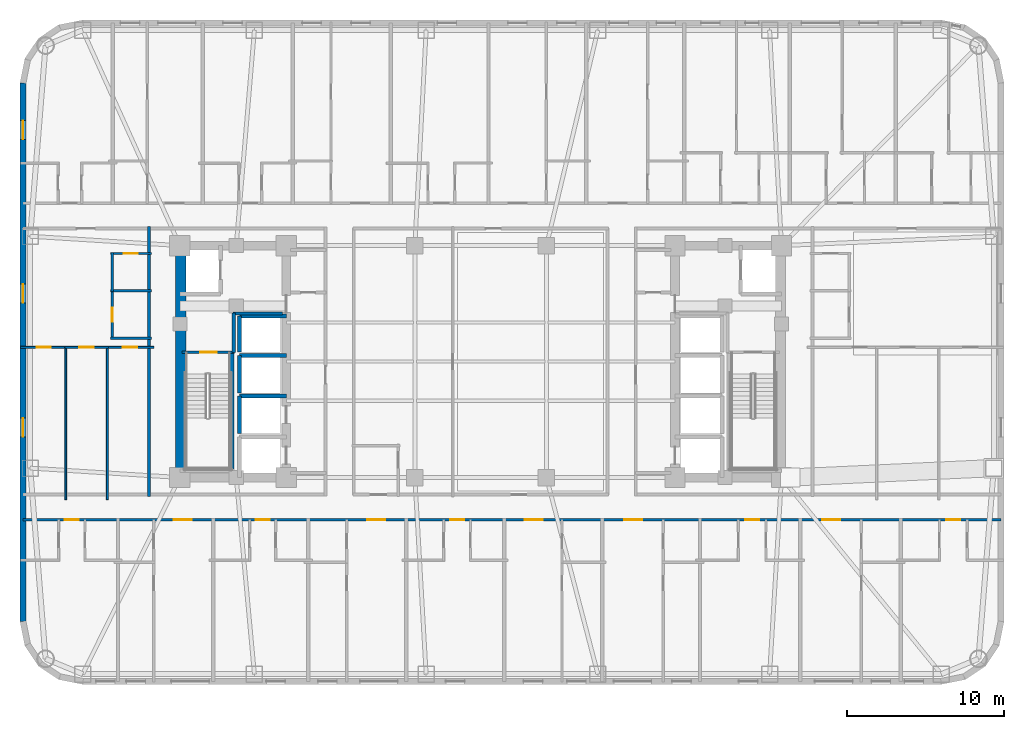
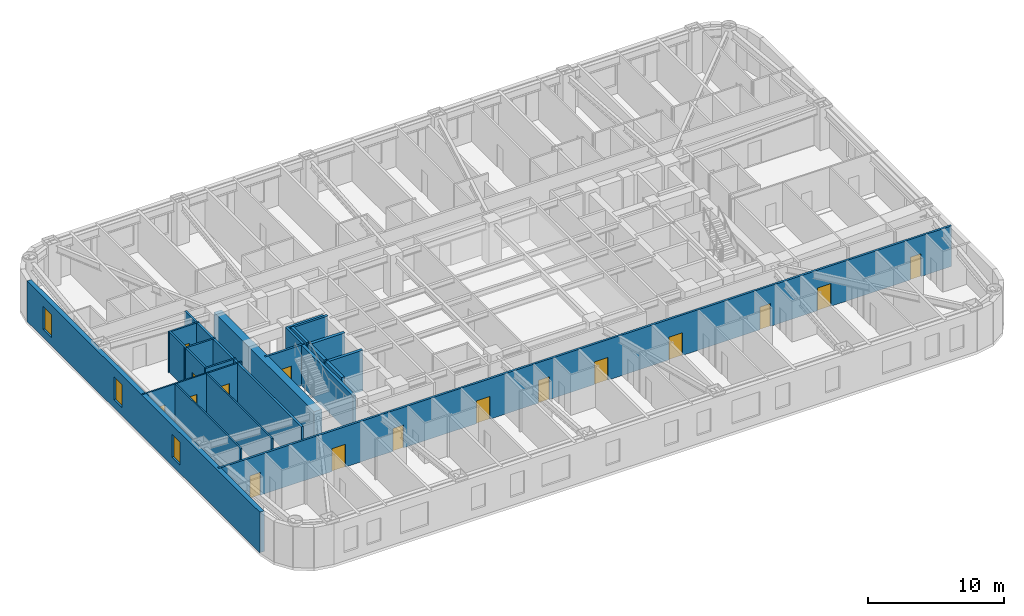
# One storey, part 4 of 13: 24 walls, 16 doors, 3 windows, 19 openings.
"""IFC4 building model written with IfcOpenShell, lengths in metres."""

from ifc_helpers import new_model, si_unit, direction, frame, frame_2d, origin, place, context, subcontext, project, spatial, rectangle, extrude, material, layer, layer_set, type_object, element, fill, save


model = new_model("IFC4")

# Units and contexts
model_context = context("Model", 3, precision=1e-05, world=origin(), true_north=direction((0.0, 1.0)))
body_context = subcontext(model_context, "Body", "Model", "MODEL_VIEW")
ifc_project = project(units=[si_unit("LENGTHUNIT", "METRE"), si_unit("AREAUNIT", "SQUARE_METRE"), si_unit("VOLUMEUNIT", "CUBIC_METRE"), si_unit("PLANEANGLEUNIT", "RADIAN"), si_unit("MASSUNIT", "GRAM", prefix="KILO")], contexts=[model_context])

# Site, building, storey
site_placement = place(None, origin())
site = spatial("IfcSite", under=ifc_project, at=site_placement, CompositionType="ELEMENT")
building_placement = place(site_placement, origin())
building = spatial("IfcBuilding", under=site, at=building_placement, Name="Voryun Gate Residences", CompositionType="ELEMENT")
storey_placement = place(building_placement, frame((0.0, 0.0, 124.800048828125)))
storey = spatial("IfcBuildingStorey", under=building, at=storey_placement, Name="L30", CompositionType="ELEMENT", Elevation=124.800048828125)

# Wall
ifc_material_1 = material(Name="Concrete C60/75", Category="concrete")
ifc_layer_1 = layer(ifc_material_1, 0.64990234375, Name="CW_CORE_650")
ifc_layer_set_1 = layer_set([ifc_layer_1], Name="Concrete C60/75")
wall_type_1 = type_object("IfcWallType", Name="CW_CORE_650", PredefinedType="SHEAR", material=ifc_layer_set_1)
wall_1_placement = place(storey_placement, frame((-19.14501953125, -7.39990234375, 0.0), z_axis=(0.0, 0.0, 1.0), x_axis=(0.0, 1.0, 0.0)))
element("IfcWall", 1, at=wall_1_placement, inside=storey, type_object=wall_type_1, Name="L30 Core shear wall CW-L30-WW", PredefinedType="SHEAR", context=body_context, shape_type="SweptSolid", body=[
    extrude(rectangle(XDim=14.7998046875, YDim=0.64990234375, at=frame_2d((7.39990234375, 0.0))), origin(), (0.0, 0.0, 1.0), 3.64990234375),
])

# Wall, opening, door
ifc_material_2 = material(Name="Gypsum acoustic fireboard")
ifc_layer_2 = layer(ifc_material_2, 0.179931640625, Name="W_CORR_RATED_180")
ifc_layer_set_2 = layer_set([ifc_layer_2], Name="Gypsum acoustic fireboard")
wall_type_2 = type_object("IfcWallType", Name="W_CORR_RATED_180", PredefinedType="PARTITIONING", material=ifc_layer_set_2)
wall_2_placement = place(storey_placement, frame((-19.06005859375, 0.60009765625, 0.0), z_axis=(0.0, 0.0, 1.0), x_axis=(1.0, 0.0, 0.0)))
wall_2 = element("IfcWall", 2, at=wall_2_placement, inside=storey, type_object=wall_type_2, Name="Partition wall WP-L30-STV-W", PredefinedType="PARTITIONING", context=body_context, shape_type="SweptSolid", body=[
    extrude(rectangle(XDim=3.360107421875, YDim=0.179931640625, at=frame_2d((1.68017578125, 0.0))), origin(), (0.0, 0.0, 1.0), 3.64990234375),
])
opening_1_placement = place(wall_2_placement, frame((1.155029296875, 0.0, 0.0)))
opening_1 = element("IfcOpeningElement", 3, at=opening_1_placement, cuts=wall_2, Name="Opening D-FD60-1", PredefinedType="OPENING", context=body_context, shape_type="SweptSolid", body=[
    extrude(rectangle(XDim=1.050048828125, YDim=2.050048828125, at=frame_2d((0.52490234375, 1.02490234375))), frame((0.0, 0.099853515625, 0.0), z_axis=(0.0, -1.0, 0.0), x_axis=(1.0, 0.0, 0.0)), (0.0, 0.0, 1.0), 0.199951171875),
])
ifc_material_3 = material(Name="Painted steel fire door", Category="steel")
door_type_1 = type_object("IfcDoorType", Name="DR_FD60_STAIR_1050", OperationType="NOTDEFINED", PredefinedType="DOOR", material=ifc_material_3)
door_1_placement = place(opening_1_placement, origin())
door_1 = element("IfcDoor", 4, at=door_1_placement, inside=storey, type_object=door_type_1, Name="Door DR-L30-ST-W", OperationType="SINGLE_SWING_LEFT", OverallHeight=2.050048828125, OverallWidth=1.050048828125, PredefinedType="DOOR", context=body_context, shape_type="SweptSolid", body=[
    extrude(rectangle(XDim=1.050048828125, YDim=2.050048828125, at=frame_2d((0.52490234375, 1.02490234375))), frame((0.0, 0.02490234375, 0.0), z_axis=(0.0, -1.0, 0.0), x_axis=(1.0, 0.0, 0.0)), (0.0, 0.0, 1.0), 0.050048828125),
])
fill(opening_1, door_1)

# Wall, openings, doors
wall_3_placement = place(storey_placement, frame((-29.2099609375, -10.10009765625, 0.0), z_axis=(0.0, 0.0, 1.0), x_axis=(1.0, 0.0, 0.0)))
wall_3 = element("IfcWall", 5, at=wall_3_placement, inside=storey, type_object=wall_type_2, Name="Partition wall WP-L30-SCORR", PredefinedType="PARTITIONING", context=body_context, shape_type="SweptSolid", body=[
    extrude(rectangle(XDim=62.419921875, YDim=0.179931640625, at=frame_2d((31.2099609375, 0.0))), origin(), (0.0, 0.0, 1.0), 3.64990234375),
])
opening_2_placement = place(wall_3_placement, frame((2.6708984375, 0.0, 0.0)))
opening_2 = element("IfcOpeningElement", 6, at=opening_2_placement, cuts=wall_3, Name="Opening D-INT-2", PredefinedType="OPENING", context=body_context, shape_type="SweptSolid", body=[
    extrude(rectangle(XDim=0.89990234375, YDim=2.050048828125, at=frame_2d((0.449951171875, 1.02490234375))), frame((0.0, 0.099853515625, 0.0), z_axis=(0.0, -1.0, 0.0), x_axis=(1.0, 0.0, 0.0)), (0.0, 0.0, 1.0), 0.199951171875),
])
opening_3_placement = place(wall_3_placement, frame((9.636962890625, 0.0, 0.0)))
opening_3 = element("IfcOpeningElement", 7, at=opening_3_placement, cuts=wall_3, Name="Opening D-UNIT-1", PredefinedType="OPENING", context=body_context, shape_type="SweptSolid", body=[
    extrude(rectangle(XDim=1.14990234375, YDim=2.050048828125, at=frame_2d((0.574951171875, 1.02490234375))), frame((0.0, 0.099853515625, 0.0), z_axis=(0.0, -1.0, 0.0), x_axis=(1.0, 0.0, 0.0)), (0.0, 0.0, 1.0), 0.199951171875),
])
opening_4_placement = place(wall_3_placement, frame((14.843017578125, 0.0, 0.0)))
opening_4 = element("IfcOpeningElement", 8, at=opening_4_placement, cuts=wall_3, Name="Opening D-INT-2", PredefinedType="OPENING", context=body_context, shape_type="SweptSolid", body=[
    extrude(rectangle(XDim=0.89990234375, YDim=2.050048828125, at=frame_2d((0.449951171875, 1.02490234375))), frame((0.0, 0.099853515625, 0.0), z_axis=(0.0, -1.0, 0.0), x_axis=(1.0, 0.0, 0.0)), (0.0, 0.0, 1.0), 0.199951171875),
])
opening_5_placement = place(wall_3_placement, frame((21.95849609375, 0.0, 0.0)))
opening_5 = element("IfcOpeningElement", 9, at=opening_5_placement, cuts=wall_3, Name="Opening D-UNIT-1", PredefinedType="OPENING", context=body_context, shape_type="SweptSolid", body=[
    extrude(rectangle(XDim=1.14990234375, YDim=2.050048828125, at=frame_2d((0.574951171875, 1.02490234375))), frame((0.0, 0.099853515625, 0.0), z_axis=(0.0, -1.0, 0.0), x_axis=(1.0, 0.0, 0.0)), (0.0, 0.0, 1.0), 0.199951171875),
])
opening_6_placement = place(wall_3_placement, frame((27.25830078125, 0.0, 0.0)))
opening_6 = element("IfcOpeningElement", 10, at=opening_6_placement, cuts=wall_3, Name="Opening D-INT-2", PredefinedType="OPENING", context=body_context, shape_type="SweptSolid", body=[
    extrude(rectangle(XDim=0.89990234375, YDim=2.050048828125, at=frame_2d((0.449951171875, 1.02490234375))), frame((0.0, 0.099853515625, 0.0), z_axis=(0.0, -1.0, 0.0), x_axis=(1.0, 0.0, 0.0)), (0.0, 0.0, 1.0), 0.199951171875),
])
opening_7_placement = place(wall_3_placement, frame((32.014404296875, 0.0, 0.0)))
opening_7 = element("IfcOpeningElement", 11, at=opening_7_placement, cuts=wall_3, Name="Opening D-UNIT-1", PredefinedType="OPENING", context=body_context, shape_type="SweptSolid", body=[
    extrude(rectangle(XDim=1.14990234375, YDim=2.050048828125, at=frame_2d((0.574951171875, 1.02490234375))), frame((0.0, 0.099853515625, 0.0), z_axis=(0.0, -1.0, 0.0), x_axis=(1.0, 0.0, 0.0)), (0.0, 0.0, 1.0), 0.199951171875),
])
opening_8_placement = place(wall_3_placement, frame((38.368896484375, 0.0, 0.0)))
opening_8 = element("IfcOpeningElement", 12, at=opening_8_placement, cuts=wall_3, Name="Opening D-UNIT-1", PredefinedType="OPENING", context=body_context, shape_type="SweptSolid", body=[
    extrude(rectangle(XDim=1.14990234375, YDim=2.050048828125, at=frame_2d((0.574951171875, 1.02490234375))), frame((0.0, 0.099853515625, 0.0), z_axis=(0.0, -1.0, 0.0), x_axis=(1.0, 0.0, 0.0)), (0.0, 0.0, 1.0), 0.199951171875),
])
opening_9_placement = place(wall_3_placement, frame((46.09033203125, 0.0, 0.0)))
opening_9 = element("IfcOpeningElement", 13, at=opening_9_placement, cuts=wall_3, Name="Opening D-INT-2", PredefinedType="OPENING", context=body_context, shape_type="SweptSolid", body=[
    extrude(rectangle(XDim=0.89990234375, YDim=2.050048828125, at=frame_2d((0.449951171875, 1.02490234375))), frame((0.0, 0.099853515625, 0.0), z_axis=(0.0, -1.0, 0.0), x_axis=(1.0, 0.0, 0.0)), (0.0, 0.0, 1.0), 0.199951171875),
])
opening_10_placement = place(wall_3_placement, frame((51.01513671875, 0.0, 0.0)))
opening_10 = element("IfcOpeningElement", 14, at=opening_10_placement, cuts=wall_3, Name="Opening D-UNIT-1", PredefinedType="OPENING", context=body_context, shape_type="SweptSolid", body=[
    extrude(rectangle(XDim=1.14990234375, YDim=2.050048828125, at=frame_2d((0.574951171875, 1.02490234375))), frame((0.0, 0.099853515625, 0.0), z_axis=(0.0, -1.0, 0.0), x_axis=(1.0, 0.0, 0.0)), (0.0, 0.0, 1.0), 0.199951171875),
])
opening_11_placement = place(wall_3_placement, frame((58.93017578125, 0.0, 0.0)))
opening_11 = element("IfcOpeningElement", 15, at=opening_11_placement, cuts=wall_3, Name="Opening D-INT-2", PredefinedType="OPENING", context=body_context, shape_type="SweptSolid", body=[
    extrude(rectangle(XDim=0.89990234375, YDim=2.050048828125, at=frame_2d((0.449951171875, 1.02490234375))), frame((0.0, 0.099853515625, 0.0), z_axis=(0.0, -1.0, 0.0), x_axis=(1.0, 0.0, 0.0)), (0.0, 0.0, 1.0), 0.199951171875),
])
ifc_material_4 = material(Name="Architectural oak veneer")
door_type_2 = type_object("IfcDoorType", Name="DR_INT_BATH_900", OperationType="NOTDEFINED", PredefinedType="DOOR", material=ifc_material_4)
door_2_placement = place(opening_2_placement, origin())
door_2 = element("IfcDoor", 16, at=door_2_placement, inside=storey, type_object=door_type_2, Name="Door DR-L30-SENT-1", OperationType="SINGLE_SWING_RIGHT", OverallHeight=2.050048828125, OverallWidth=0.89990234375, PredefinedType="DOOR", context=body_context, shape_type="SweptSolid", body=[
    extrude(rectangle(XDim=0.89990234375, YDim=2.050048828125, at=frame_2d((0.449951171875, 1.02490234375))), frame((0.0, 0.02490234375, 0.0), z_axis=(0.0, -1.0, 0.0), x_axis=(1.0, 0.0, 0.0)), (0.0, 0.0, 1.0), 0.050048828125),
])
fill(opening_2, door_2)
door_3_placement = place(opening_4_placement, origin())
door_3 = element("IfcDoor", 17, at=door_3_placement, inside=storey, type_object=door_type_2, Name="Door DR-L30-SENT-3", OperationType="SINGLE_SWING_RIGHT", OverallHeight=2.050048828125, OverallWidth=0.89990234375, PredefinedType="DOOR", context=body_context, shape_type="SweptSolid", body=[
    extrude(rectangle(XDim=0.89990234375, YDim=2.050048828125, at=frame_2d((0.449951171875, 1.02490234375))), frame((0.0, 0.02490234375, 0.0), z_axis=(0.0, -1.0, 0.0), x_axis=(1.0, 0.0, 0.0)), (0.0, 0.0, 1.0), 0.050048828125),
])
fill(opening_4, door_3)
door_4_placement = place(opening_6_placement, origin())
door_4 = element("IfcDoor", 18, at=door_4_placement, inside=storey, type_object=door_type_2, Name="Door DR-L30-SENT-5", OperationType="SINGLE_SWING_RIGHT", OverallHeight=2.050048828125, OverallWidth=0.89990234375, PredefinedType="DOOR", context=body_context, shape_type="SweptSolid", body=[
    extrude(rectangle(XDim=0.89990234375, YDim=2.050048828125, at=frame_2d((0.449951171875, 1.02490234375))), frame((0.0, 0.02490234375, 0.0), z_axis=(0.0, -1.0, 0.0), x_axis=(1.0, 0.0, 0.0)), (0.0, 0.0, 1.0), 0.050048828125),
])
fill(opening_6, door_4)
door_5_placement = place(opening_9_placement, origin())
door_5 = element("IfcDoor", 19, at=door_5_placement, inside=storey, type_object=door_type_2, Name="Door DR-L30-SENT-8", OperationType="SINGLE_SWING_LEFT", OverallHeight=2.050048828125, OverallWidth=0.89990234375, PredefinedType="DOOR", context=body_context, shape_type="SweptSolid", body=[
    extrude(rectangle(XDim=0.89990234375, YDim=2.050048828125, at=frame_2d((0.449951171875, 1.02490234375))), frame((0.0, 0.02490234375, 0.0), z_axis=(0.0, -1.0, 0.0), x_axis=(1.0, 0.0, 0.0)), (0.0, 0.0, 1.0), 0.050048828125),
])
fill(opening_9, door_5)
door_6_placement = place(opening_11_placement, origin())
door_6 = element("IfcDoor", 20, at=door_6_placement, inside=storey, type_object=door_type_2, Name="Door DR-L30-SENT-10", OperationType="SINGLE_SWING_LEFT", OverallHeight=2.050048828125, OverallWidth=0.89990234375, PredefinedType="DOOR", context=body_context, shape_type="SweptSolid", body=[
    extrude(rectangle(XDim=0.89990234375, YDim=2.050048828125, at=frame_2d((0.449951171875, 1.02490234375))), frame((0.0, 0.02490234375, 0.0), z_axis=(0.0, -1.0, 0.0), x_axis=(1.0, 0.0, 0.0)), (0.0, 0.0, 1.0), 0.050048828125),
])
fill(opening_11, door_6)
ifc_material_5 = material(Name="Armoured timber-clad fire door", Category="wood")
door_type_3 = type_object("IfcDoorType", Name="DR_UNIT_ENTRY_1150", OperationType="NOTDEFINED", PredefinedType="DOOR", material=ifc_material_5)
door_7_placement = place(opening_3_placement, origin())
door_7 = element("IfcDoor", 21, at=door_7_placement, inside=storey, type_object=door_type_3, Name="Door DR-L30-SENT-2", OperationType="SINGLE_SWING_LEFT", OverallHeight=2.050048828125, OverallWidth=1.14990234375, PredefinedType="DOOR", context=body_context, shape_type="SweptSolid", body=[
    extrude(rectangle(XDim=1.14990234375, YDim=2.050048828125, at=frame_2d((0.574951171875, 1.02490234375))), frame((0.0, 0.02490234375, 0.0), z_axis=(0.0, -1.0, 0.0), x_axis=(1.0, 0.0, 0.0)), (0.0, 0.0, 1.0), 0.050048828125),
])
fill(opening_3, door_7)
door_8_placement = place(opening_5_placement, origin())
door_8 = element("IfcDoor", 22, at=door_8_placement, inside=storey, type_object=door_type_3, Name="Door DR-L30-SENT-4", OperationType="SINGLE_SWING_LEFT", OverallHeight=2.050048828125, OverallWidth=1.14990234375, PredefinedType="DOOR", context=body_context, shape_type="SweptSolid", body=[
    extrude(rectangle(XDim=1.14990234375, YDim=2.050048828125, at=frame_2d((0.574951171875, 1.02490234375))), frame((0.0, 0.02490234375, 0.0), z_axis=(0.0, -1.0, 0.0), x_axis=(1.0, 0.0, 0.0)), (0.0, 0.0, 1.0), 0.050048828125),
])
fill(opening_5, door_8)
door_9_placement = place(opening_7_placement, origin())
door_9 = element("IfcDoor", 23, at=door_9_placement, inside=storey, type_object=door_type_3, Name="Door DR-L30-SENT-6", OperationType="SINGLE_SWING_LEFT", OverallHeight=2.050048828125, OverallWidth=1.14990234375, PredefinedType="DOOR", context=body_context, shape_type="SweptSolid", body=[
    extrude(rectangle(XDim=1.14990234375, YDim=2.050048828125, at=frame_2d((0.574951171875, 1.02490234375))), frame((0.0, 0.02490234375, 0.0), z_axis=(0.0, -1.0, 0.0), x_axis=(1.0, 0.0, 0.0)), (0.0, 0.0, 1.0), 0.050048828125),
])
fill(opening_7, door_9)
door_10_placement = place(opening_8_placement, origin())
door_10 = element("IfcDoor", 24, at=door_10_placement, inside=storey, type_object=door_type_3, Name="Door DR-L30-SENT-7", OperationType="SINGLE_SWING_RIGHT", OverallHeight=2.050048828125, OverallWidth=1.14990234375, PredefinedType="DOOR", context=body_context, shape_type="SweptSolid", body=[
    extrude(rectangle(XDim=1.14990234375, YDim=2.050048828125, at=frame_2d((0.574951171875, 1.02490234375))), frame((0.0, 0.02490234375, 0.0), z_axis=(0.0, -1.0, 0.0), x_axis=(1.0, 0.0, 0.0)), (0.0, 0.0, 1.0), 0.050048828125),
])
fill(opening_8, door_10)
door_11_placement = place(opening_10_placement, origin())
door_11 = element("IfcDoor", 25, at=door_11_placement, inside=storey, type_object=door_type_3, Name="Door DR-L30-SENT-9", OperationType="SINGLE_SWING_RIGHT", OverallHeight=2.050048828125, OverallWidth=1.14990234375, PredefinedType="DOOR", context=body_context, shape_type="SweptSolid", body=[
    extrude(rectangle(XDim=1.14990234375, YDim=2.050048828125, at=frame_2d((0.574951171875, 1.02490234375))), frame((0.0, 0.02490234375, 0.0), z_axis=(0.0, -1.0, 0.0), x_axis=(1.0, 0.0, 0.0)), (0.0, 0.0, 1.0), 0.050048828125),
])
fill(opening_10, door_11)

# Wall
wall_4_placement = place(storey_placement, frame((-21.169921875, -8.610107421875, 0.0), z_axis=(0.0, 0.0, 1.0), x_axis=(0.0, 1.0, 0.0)))
element("IfcWall", 26, at=wall_4_placement, inside=storey, type_object=wall_type_2, Name="Partition wall WP-L30-WCOR", PredefinedType="PARTITIONING", context=body_context, shape_type="SweptSolid", body=[
    extrude(rectangle(XDim=17.22021484375, YDim=0.179931640625, at=frame_2d((8.610107421875, 0.0))), origin(), (0.0, 0.0, 1.0), 3.64990234375),
])

# Wall, openings, windows
ifc_material_6 = material(Name="Granite masonry", Category="masonry")
ifc_layer_3 = layer(ifc_material_6, 0.3798828125, Name="W_EXT_GRANITE_380")
ifc_layer_set_3 = layer_set([ifc_layer_3], Name="Granite masonry")
wall_type_3 = type_object("IfcWallType", Name="W_EXT_GRANITE_380", PredefinedType="ELEMENTEDWALL", material=ifc_layer_set_3)
wall_5_placement = place(storey_placement, frame((-29.2099609375, -16.581298828125, 0.0), z_axis=(0.0, 0.0, 1.0), x_axis=(0.0, 1.0, 0.0)))
wall_5 = element("IfcWall", 27, at=wall_5_placement, inside=storey, type_object=wall_type_3, Name="Exterior wall WEXT-L30-06", PredefinedType="ELEMENTEDWALL", context=body_context, shape_type="SweptSolid", body=[
    extrude(rectangle(XDim=34.362548828125, YDim=0.3798828125, at=frame_2d((17.18115234375, 0.0))), origin(), (0.0, 0.0, 1.0), 3.64990234375),
])
opening_12_placement = place(wall_5_placement, frame((30.7568359375, 0.0, 0.75)))
opening_12 = element("IfcOpeningElement", 28, at=opening_12_placement, cuts=wall_5, Name="Opening WN6", PredefinedType="OPENING", context=body_context, shape_type="SweptSolid", body=[
    extrude(rectangle(XDim=1.199951171875, YDim=2.050048828125, at=frame_2d((0.60009765625, 1.02490234375))), frame((0.0, 0.199951171875, 0.0), z_axis=(0.0, -1.0, 0.0), x_axis=(1.0, 0.0, 0.0)), (0.0, 0.0, 1.0), 0.39990234375),
])
opening_13_placement = place(wall_5_placement, frame((20.326416015625, 0.0, 0.75)))
opening_13 = element("IfcOpeningElement", 29, at=opening_13_placement, cuts=wall_5, Name="Opening WN6", PredefinedType="OPENING", context=body_context, shape_type="SweptSolid", body=[
    extrude(rectangle(XDim=1.199951171875, YDim=2.050048828125, at=frame_2d((0.60009765625, 1.02490234375))), frame((0.0, 0.199951171875, 0.0), z_axis=(0.0, -1.0, 0.0), x_axis=(1.0, 0.0, 0.0)), (0.0, 0.0, 1.0), 0.39990234375),
])
opening_14_placement = place(wall_5_placement, frame((11.7763671875, 0.0, 0.75)))
opening_14 = element("IfcOpeningElement", 30, at=opening_14_placement, cuts=wall_5, Name="Opening WN6", PredefinedType="OPENING", context=body_context, shape_type="SweptSolid", body=[
    extrude(rectangle(XDim=1.199951171875, YDim=2.050048828125, at=frame_2d((0.60009765625, 1.02490234375))), frame((0.0, 0.199951171875, 0.0), z_axis=(0.0, -1.0, 0.0), x_axis=(1.0, 0.0, 0.0)), (0.0, 0.0, 1.0), 0.39990234375),
])
ifc_material_7 = material(Name="Laminated low-E glass", Category="glass")
window_type = type_object("IfcWindowType", Name="WN_POD_SLOT_1200", PartitioningType="SINGLE_PANEL", PredefinedType="WINDOW", material=ifc_material_7)
window_1_placement = place(opening_12_placement, origin())
window_1 = element("IfcWindow", 31, at=window_1_placement, inside=storey, type_object=window_type, Name="Window WN-L30-DWFIX-01", OverallHeight=2.050048828125, OverallWidth=1.199951171875, PartitioningType="SINGLE_PANEL", PredefinedType="WINDOW", context=body_context, shape_type="SweptSolid", body=[
    extrude(rectangle(XDim=1.199951171875, YDim=2.050048828125, at=frame_2d((0.60009765625, 1.02490234375))), frame((0.0, 0.030029296875, 0.0), z_axis=(0.0, -1.0, 0.0), x_axis=(1.0, 0.0, 0.0)), (0.0, 0.0, 1.0), 0.06005859375),
])
fill(opening_12, window_1)
window_2_placement = place(opening_13_placement, origin())
window_2 = element("IfcWindow", 32, at=window_2_placement, inside=storey, type_object=window_type, Name="Window WN-L30-DWFIX-27", OverallHeight=2.050048828125, OverallWidth=1.199951171875, PartitioningType="SINGLE_PANEL", PredefinedType="WINDOW", context=body_context, shape_type="SweptSolid", body=[
    extrude(rectangle(XDim=1.199951171875, YDim=2.050048828125, at=frame_2d((0.60009765625, 1.02490234375))), frame((0.0, 0.030029296875, 0.0), z_axis=(0.0, -1.0, 0.0), x_axis=(1.0, 0.0, 0.0)), (0.0, 0.0, 1.0), 0.06005859375),
])
fill(opening_13, window_2)
window_3_placement = place(opening_14_placement, origin())
window_3 = element("IfcWindow", 33, at=window_3_placement, inside=storey, type_object=window_type, Name="Window WN-L30-DWFIX-28", OverallHeight=2.050048828125, OverallWidth=1.199951171875, PartitioningType="SINGLE_PANEL", PredefinedType="WINDOW", context=body_context, shape_type="SweptSolid", body=[
    extrude(rectangle(XDim=1.199951171875, YDim=2.050048828125, at=frame_2d((0.60009765625, 1.02490234375))), frame((0.0, 0.030029296875, 0.0), z_axis=(0.0, -1.0, 0.0), x_axis=(1.0, 0.0, 0.0)), (0.0, 0.0, 1.0), 0.06005859375),
])
fill(opening_14, window_3)

# Walls
ifc_material_8 = material(Name="Concrete C40/50", Category="concrete")
ifc_layer_4 = layer(ifc_material_8, 0.199951171875, Name="W_FF_LOBBY_200")
ifc_layer_set_4 = layer_set([ifc_layer_4], Name="Concrete C40/50")
wall_type_4 = type_object("IfcWallType", Name="W_FF_LOBBY_200", PredefinedType="PARTITIONING", material=ifc_layer_set_4)
wall_6_placement = place(storey_placement, frame((-15.760009765625, 0.580078125, 0.0), z_axis=(0.0, 0.0, 1.0), x_axis=(0.0, 1.0, 0.0)))
element("IfcWall", 34, at=wall_6_placement, inside=storey, type_object=wall_type_4, Name="Partition wall WP-L30-FFP0-W", PredefinedType="PARTITIONING", context=body_context, shape_type="SweptSolid", body=[
    extrude(rectangle(XDim=2.52001953125, YDim=0.199951171875, at=frame_2d((1.260009765625, 0.0))), origin(), (0.0, 0.0, 1.0), 3.64990234375),
])
wall_7_placement = place(storey_placement, frame((-15.820068359375, 3.06005859375, 0.0), z_axis=(0.0, 0.0, 1.0), x_axis=(1.0, 0.0, 0.0)))
element("IfcWall", 35, at=wall_7_placement, inside=storey, type_object=wall_type_4, Name="Partition wall WP-L30-FFPS-W", PredefinedType="PARTITIONING", context=body_context, shape_type="SweptSolid", body=[
    extrude(rectangle(XDim=3.16015625, YDim=0.199951171875, at=frame_2d((1.580078125, 0.0))), origin(), (0.0, 0.0, 1.0), 3.64990234375),
])
ifc_material_9 = material(Name="Concrete C50/60", Category="concrete")
ifc_layer_5 = layer(ifc_material_9, 0.25, Name="W_SHAFT_RC250")
ifc_layer_set_5 = layer_set([ifc_layer_5], Name="Concrete C50/60")
wall_type_5 = type_object("IfcWallType", Name="W_SHAFT_RC250", PredefinedType="SOLIDWALL", material=ifc_layer_set_5)
wall_8_placement = place(storey_placement, frame((-15.860107421875, -7.0849609375, 0.0), z_axis=(0.0, 0.0, 1.0), x_axis=(0.0, 1.0, 0.0)))
element("IfcWall", 36, at=wall_8_placement, inside=storey, type_object=wall_type_5, Name="L30 Stair shaft structural wall W-STR", PredefinedType="SOLIDWALL", context=body_context, shape_type="SweptSolid", body=[
    extrude(rectangle(XDim=7.68505859375, YDim=0.25, at=frame_2d((3.842529296875, 0.0))), origin(), (0.0, 0.0, 1.0), 3.64990234375),
])
wall_9_placement = place(storey_placement, frame((-12.39990234375, -2.199951171875, 0.0), z_axis=(0.0, 0.0, 1.0), x_axis=(-1.0, 0.0, 0.0)))
element("IfcWall", 37, at=wall_9_placement, inside=storey, type_object=wall_type_5, Name="Lift shaft wall WSH-L30-EL-P2-N", PredefinedType="SOLIDWALL", context=body_context, shape_type="SweptSolid", body=[
    extrude(rectangle(XDim=3.0, YDim=0.25, at=frame_2d((1.5, 0.0))), origin(), (0.0, 0.0, 1.0), 3.64990234375),
])
wall_10_placement = place(storey_placement, frame((-15.39990234375, -2.199951171875, 0.0), z_axis=(0.0, 0.0, 1.0), x_axis=(0.0, -1.0, 0.0)))
element("IfcWall", 38, at=wall_10_placement, inside=storey, type_object=wall_type_5, Name="Lift shaft wall WSH-L30-EL-P2-W", PredefinedType="SOLIDWALL", context=body_context, shape_type="SweptSolid", body=[
    extrude(rectangle(XDim=2.400146484375, YDim=0.25, at=frame_2d((1.2001953125, 0.0))), origin(), (0.0, 0.0, 1.0), 3.64990234375),
])
wall_11_placement = place(storey_placement, frame((-12.39990234375, 0.39990234375, 0.0), z_axis=(0.0, 0.0, 1.0), x_axis=(-1.0, 0.0, 0.0)))
element("IfcWall", 39, at=wall_11_placement, inside=storey, type_object=wall_type_5, Name="Lift shaft wall WSH-L30-EL-P4-N", PredefinedType="SOLIDWALL", context=body_context, shape_type="SweptSolid", body=[
    extrude(rectangle(XDim=3.0, YDim=0.25, at=frame_2d((1.5, 0.0))), origin(), (0.0, 0.0, 1.0), 3.64990234375),
])
wall_12_placement = place(storey_placement, frame((-15.39990234375, 0.39990234375, 0.0), z_axis=(0.0, 0.0, 1.0), x_axis=(0.0, -1.0, 0.0)))
element("IfcWall", 40, at=wall_12_placement, inside=storey, type_object=wall_type_5, Name="Lift shaft wall WSH-L30-EL-P4-W", PredefinedType="SOLIDWALL", context=body_context, shape_type="SweptSolid", body=[
    extrude(rectangle(XDim=2.39990234375, YDim=0.25, at=frame_2d((1.199951171875, 0.0))), origin(), (0.0, 0.0, 1.0), 3.64990234375),
])
wall_13_placement = place(storey_placement, frame((-12.39990234375, 2.89990234375, 0.0), z_axis=(0.0, 0.0, 1.0), x_axis=(-1.0, 0.0, 0.0)))
element("IfcWall", 41, at=wall_13_placement, inside=storey, type_object=wall_type_5, Name="Lift shaft wall WSH-L30-EL-P7-N", PredefinedType="SOLIDWALL", context=body_context, shape_type="SweptSolid", body=[
    extrude(rectangle(XDim=3.0, YDim=0.25, at=frame_2d((1.5, 0.0))), origin(), (0.0, 0.0, 1.0), 3.64990234375),
])
wall_14_placement = place(storey_placement, frame((-15.39990234375, 2.89990234375, 0.0), z_axis=(0.0, 0.0, 1.0), x_axis=(0.0, -1.0, 0.0)))
element("IfcWall", 42, at=wall_14_placement, inside=storey, type_object=wall_type_5, Name="Lift shaft wall WSH-L30-EL-P7-W", PredefinedType="SOLIDWALL", context=body_context, shape_type="SweptSolid", body=[
    extrude(rectangle(XDim=2.2998046875, YDim=0.25, at=frame_2d((1.14990234375, 0.0))), origin(), (0.0, 0.0, 1.0), 3.64990234375),
])

# Wall, opening, door
ifc_material_10 = material(Name="Gypsum acoustic partition")
ifc_layer_6 = layer(ifc_material_10, 0.125, Name="W_UNIT_PART_125")
ifc_layer_set_6 = layer_set([ifc_layer_6], Name="Gypsum acoustic partition")
wall_type_6 = type_object("IfcWallType", Name="W_UNIT_PART_125", PredefinedType="PARTITIONING", material=ifc_layer_set_6)
wall_15_placement = place(storey_placement, frame((-29.360107421875, 0.909912109375, 0.0), z_axis=(0.0, 0.0, 1.0), x_axis=(1.0, 0.0, 0.0)))
wall_15 = element("IfcWall", 43, at=wall_15_placement, inside=storey, type_object=wall_type_6, Name="Partition wall WP-L30-W1-HZMB1", PredefinedType="PARTITIONING", context=body_context, shape_type="SweptSolid", body=[
    extrude(rectangle(XDim=2.941650390625, YDim=0.125, at=frame_2d((1.470703125, 0.0))), origin(), (0.0, 0.0, 1.0), 3.64990234375),
])
opening_15_placement = place(wall_15_placement, frame((1.029541015625, 0.0, 0.0)))
opening_15 = element("IfcOpeningElement", 44, at=opening_15_placement, cuts=wall_15, Name="Opening D-INT-2", PredefinedType="OPENING", context=body_context, shape_type="SweptSolid", body=[
    extrude(rectangle(XDim=0.89990234375, YDim=2.050048828125, at=frame_2d((0.449951171875, 1.02490234375))), frame((0.0, 0.072509765625, 0.0), z_axis=(0.0, -1.0, 0.0), x_axis=(1.0, 0.0, 0.0)), (0.0, 0.0, 1.0), 0.14501953125),
])
door_12_placement = place(opening_15_placement, origin())
door_12 = element("IfcDoor", 45, at=door_12_placement, inside=storey, type_object=door_type_2, Name="Door DR-L30-W1-DMB", OperationType="SINGLE_SWING_LEFT", OverallHeight=2.050048828125, OverallWidth=0.89990234375, PredefinedType="DOOR", context=body_context, shape_type="SweptSolid", body=[
    extrude(rectangle(XDim=0.89990234375, YDim=2.050048828125, at=frame_2d((0.449951171875, 1.02490234375))), frame((0.0, 0.02490234375, 0.0), z_axis=(0.0, -1.0, 0.0), x_axis=(1.0, 0.0, 0.0)), (0.0, 0.0, 1.0), 0.050048828125),
])
fill(opening_15, door_12)

wall_16_placement = place(storey_placement, frame((-26.54345703125, 0.909912109375, 0.0), z_axis=(0.0, 0.0, 1.0), x_axis=(1.0, 0.0, 0.0)))
wall_16 = element("IfcWall", 46, at=wall_16_placement, inside=storey, type_object=wall_type_6, Name="Partition wall WP-L30-W1-HZMB2", PredefinedType="PARTITIONING", context=body_context, shape_type="SweptSolid", body=[
    extrude(rectangle(XDim=2.780029296875, YDim=0.125, at=frame_2d((1.39013671875, 0.0))), origin(), (0.0, 0.0, 1.0), 3.64990234375),
])
opening_16_placement = place(wall_16_placement, frame((0.93994140625, 0.0, 0.0)))
opening_16 = element("IfcOpeningElement", 47, at=opening_16_placement, cuts=wall_16, Name="Opening D-INT-2", PredefinedType="OPENING", context=body_context, shape_type="SweptSolid", body=[
    extrude(rectangle(XDim=0.89990234375, YDim=2.050048828125, at=frame_2d((0.449951171875, 1.02490234375))), frame((0.0, 0.072509765625, 0.0), z_axis=(0.0, -1.0, 0.0), x_axis=(1.0, 0.0, 0.0)), (0.0, 0.0, 1.0), 0.14501953125),
])
door_13_placement = place(opening_16_placement, origin())
door_13 = element("IfcDoor", 48, at=door_13_placement, inside=storey, type_object=door_type_2, Name="Door DR-L30-W1-DBD2", OperationType="SINGLE_SWING_RIGHT", OverallHeight=2.050048828125, OverallWidth=0.89990234375, PredefinedType="DOOR", context=body_context, shape_type="SweptSolid", body=[
    extrude(rectangle(XDim=0.89990234375, YDim=2.050048828125, at=frame_2d((0.449951171875, 1.02490234375))), frame((0.0, 0.02490234375, 0.0), z_axis=(0.0, -1.0, 0.0), x_axis=(1.0, 0.0, 0.0)), (0.0, 0.0, 1.0), 0.050048828125),
])
fill(opening_16, door_13)

wall_17_placement = place(storey_placement, frame((-23.888427734375, 0.909912109375, 0.0), z_axis=(0.0, 0.0, 1.0), x_axis=(1.0, 0.0, 0.0)))
wall_17 = element("IfcWall", 49, at=wall_17_placement, inside=storey, type_object=wall_type_6, Name="Partition wall WP-L30-W1-HZMB3", PredefinedType="PARTITIONING", context=body_context, shape_type="SweptSolid", body=[
    extrude(rectangle(XDim=3.038330078125, YDim=0.125, at=frame_2d((1.51904296875, 0.0))), origin(), (0.0, 0.0, 1.0), 3.64990234375),
])
opening_17_placement = place(wall_17_placement, frame((1.060546875, 0.0, 0.0)))
opening_17 = element("IfcOpeningElement", 50, at=opening_17_placement, cuts=wall_17, Name="Opening D-INT-2", PredefinedType="OPENING", context=body_context, shape_type="SweptSolid", body=[
    extrude(rectangle(XDim=0.89990234375, YDim=2.050048828125, at=frame_2d((0.449951171875, 1.02490234375))), frame((0.0, 0.072509765625, 0.0), z_axis=(0.0, -1.0, 0.0), x_axis=(1.0, 0.0, 0.0)), (0.0, 0.0, 1.0), 0.14501953125),
])
door_14_placement = place(opening_17_placement, origin())
door_14 = element("IfcDoor", 51, at=door_14_placement, inside=storey, type_object=door_type_2, Name="Door DR-L30-W1-DBD3", OperationType="SINGLE_SWING_LEFT", OverallHeight=2.050048828125, OverallWidth=0.89990234375, PredefinedType="DOOR", context=body_context, shape_type="SweptSolid", body=[
    extrude(rectangle(XDim=0.89990234375, YDim=2.050048828125, at=frame_2d((0.449951171875, 1.02490234375))), frame((0.0, 0.02490234375, 0.0), z_axis=(0.0, -1.0, 0.0), x_axis=(1.0, 0.0, 0.0)), (0.0, 0.0, 1.0), 0.050048828125),
])
fill(opening_17, door_14)

# Walls
for number, where, z_axis, x_axis, name in (
    (52, (-23.825927734375, -8.81005859375, 0.0), (0.0, 0.0, 1.0), (0.0, 1.0, 0.0), "Partition wall WP-L30-W1-VMB2"),
    (53, (-26.48095703125, -8.81005859375, 0.0), (0.0, 0.0, 1.0), (0.0, 1.0, 0.0), "Partition wall WP-L30-W1-VMB"),
):
    element("IfcWall", number, at=place(storey_placement, frame(where, z_axis=z_axis, x_axis=x_axis)), inside=storey, type_object=wall_type_6, Name=name, PredefinedType="PARTITIONING", context=body_context, shape_type="SweptSolid", body=[
        extrude(rectangle(XDim=9.780029296875, YDim=0.125, at=frame_2d((4.89013671875, 0.0))), origin(), (0.0, 0.0, 1.0), 3.64990234375),
    ])

# Wall, opening, door
ifc_material_11 = material(Name="Gypsum moisture-resistant partition")
ifc_layer_7 = layer(ifc_material_11, 0.14990234375, Name="W_WET_PLUMB_150")
ifc_layer_set_7 = layer_set([ifc_layer_7], Name="Gypsum moisture-resistant partition")
wall_type_7 = type_object("IfcWallType", Name="W_WET_PLUMB_150", PredefinedType="PLUMBINGWALL", material=ifc_layer_set_7)
wall_18_placement = place(storey_placement, frame((-23.639892578125, 6.89990234375, 0.0), z_axis=(0.0, 0.0, 1.0), x_axis=(1.0, 0.0, 0.0)))
wall_18 = element("IfcWall", 54, at=wall_18_placement, inside=storey, type_object=wall_type_7, Name="Partition wall WP-L30-W1-IBT", PredefinedType="PLUMBINGWALL", context=body_context, shape_type="SweptSolid", body=[
    extrude(rectangle(XDim=2.619873046875, YDim=0.14990234375, at=frame_2d((1.31005859375, 0.0))), origin(), (0.0, 0.0, 1.0), 3.64990234375),
])
opening_18_placement = place(wall_18_placement, frame((0.860107421875, 0.0, 0.0)))
opening_18 = element("IfcOpeningElement", 55, at=opening_18_placement, cuts=wall_18, Name="Opening D-INT-2", PredefinedType="OPENING", context=body_context, shape_type="SweptSolid", body=[
    extrude(rectangle(XDim=0.89990234375, YDim=2.050048828125, at=frame_2d((0.449951171875, 1.02490234375))), frame((0.0, 0.0849609375, 0.0), z_axis=(0.0, -1.0, 0.0), x_axis=(1.0, 0.0, 0.0)), (0.0, 0.0, 1.0), 0.169921875),
])
door_15_placement = place(opening_18_placement, origin())
door_15 = element("IfcDoor", 56, at=door_15_placement, inside=storey, type_object=door_type_2, Name="Door DR-L30-W1-DK", OperationType="SINGLE_SWING_LEFT", OverallHeight=2.050048828125, OverallWidth=0.89990234375, PredefinedType="DOOR", context=body_context, shape_type="SweptSolid", body=[
    extrude(rectangle(XDim=0.89990234375, YDim=2.050048828125, at=frame_2d((0.449951171875, 1.02490234375))), frame((0.0, 0.02490234375, 0.0), z_axis=(0.0, -1.0, 0.0), x_axis=(1.0, 0.0, 0.0)), (0.0, 0.0, 1.0), 0.050048828125),
])
fill(opening_18, door_15)

# Walls
for number, where, z_axis, x_axis, name in (
    (57, (-23.639892578125, 4.52001953125, 0.0), (0.0, 0.0, 1.0), (1.0, 0.0, 0.0), "Partition wall WP-L30-W1-IKB"),
    (58, (-23.639892578125, 1.5, 0.0), (0.0, 0.0, 1.0), (1.0, 0.0, 0.0), "Partition wall WP-L30-W1-IBB"),
):
    element("IfcWall", number, at=place(storey_placement, frame(where, z_axis=z_axis, x_axis=x_axis)), inside=storey, type_object=wall_type_7, Name=name, PredefinedType="PLUMBINGWALL", context=body_context, shape_type="SweptSolid", body=[
        extrude(rectangle(XDim=2.619873046875, YDim=0.14990234375, at=frame_2d((1.31005859375, 0.0))), origin(), (0.0, 0.0, 1.0), 3.64990234375),
    ])

# Wall, opening, door
wall_19_placement = place(storey_placement, frame((-23.52001953125, 1.43994140625, 0.0), z_axis=(0.0, 0.0, 1.0), x_axis=(0.0, 1.0, 0.0)))
wall_19 = element("IfcWall", 59, at=wall_19_placement, inside=storey, type_object=wall_type_7, Name="Partition wall WP-L30-W1-VTSK1", PredefinedType="PLUMBINGWALL", context=body_context, shape_type="SweptSolid", body=[
    extrude(rectangle(XDim=3.1201171875, YDim=0.14990234375, at=frame_2d((1.56005859375, 0.0))), origin(), (0.0, 0.0, 1.0), 3.64990234375),
])
opening_19_placement = place(wall_19_placement, frame((1.110107421875, 0.0, 0.0)))
opening_19 = element("IfcOpeningElement", 60, at=opening_19_placement, cuts=wall_19, Name="Opening D-INT-2", PredefinedType="OPENING", context=body_context, shape_type="SweptSolid", body=[
    extrude(rectangle(XDim=0.89990234375, YDim=2.050048828125, at=frame_2d((0.449951171875, 1.02490234375))), frame((0.0, 0.0849609375, 0.0), z_axis=(0.0, -1.0, 0.0), x_axis=(1.0, 0.0, 0.0)), (0.0, 0.0, 1.0), 0.169921875),
])
door_16_placement = place(opening_19_placement, origin())
door_16 = element("IfcDoor", 61, at=door_16_placement, inside=storey, type_object=door_type_2, Name="Door DR-L30-W1-DB", OperationType="SINGLE_SWING_RIGHT", OverallHeight=2.050048828125, OverallWidth=0.89990234375, PredefinedType="DOOR", context=body_context, shape_type="SweptSolid", body=[
    extrude(rectangle(XDim=0.89990234375, YDim=2.050048828125, at=frame_2d((0.449951171875, 1.02490234375))), frame((0.0, 0.02490234375, 0.0), z_axis=(0.0, -1.0, 0.0), x_axis=(1.0, 0.0, 0.0)), (0.0, 0.0, 1.0), 0.050048828125),
])
fill(opening_19, door_16)

# Wall
wall_20_placement = place(storey_placement, frame((-23.52001953125, 4.47998046875, 0.0), z_axis=(0.0, 0.0, 1.0), x_axis=(0.0, 1.0, 0.0)))
element("IfcWall", 62, at=wall_20_placement, inside=storey, type_object=wall_type_7, Name="Partition wall WP-L30-W1-VTSK2", PredefinedType="PLUMBINGWALL", context=body_context, shape_type="SweptSolid", body=[
    extrude(rectangle(XDim=2.47998046875, YDim=0.14990234375, at=frame_2d((1.239990234375, 0.0))), origin(), (0.0, 0.0, 1.0), 3.64990234375),
])

save(model, "model.ifc")
